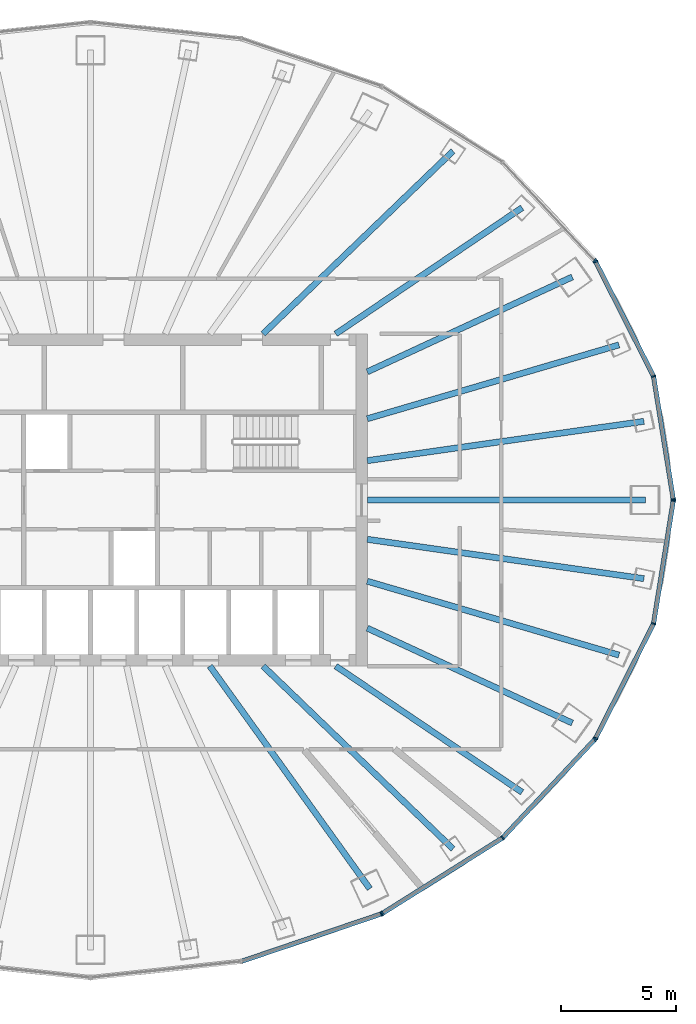
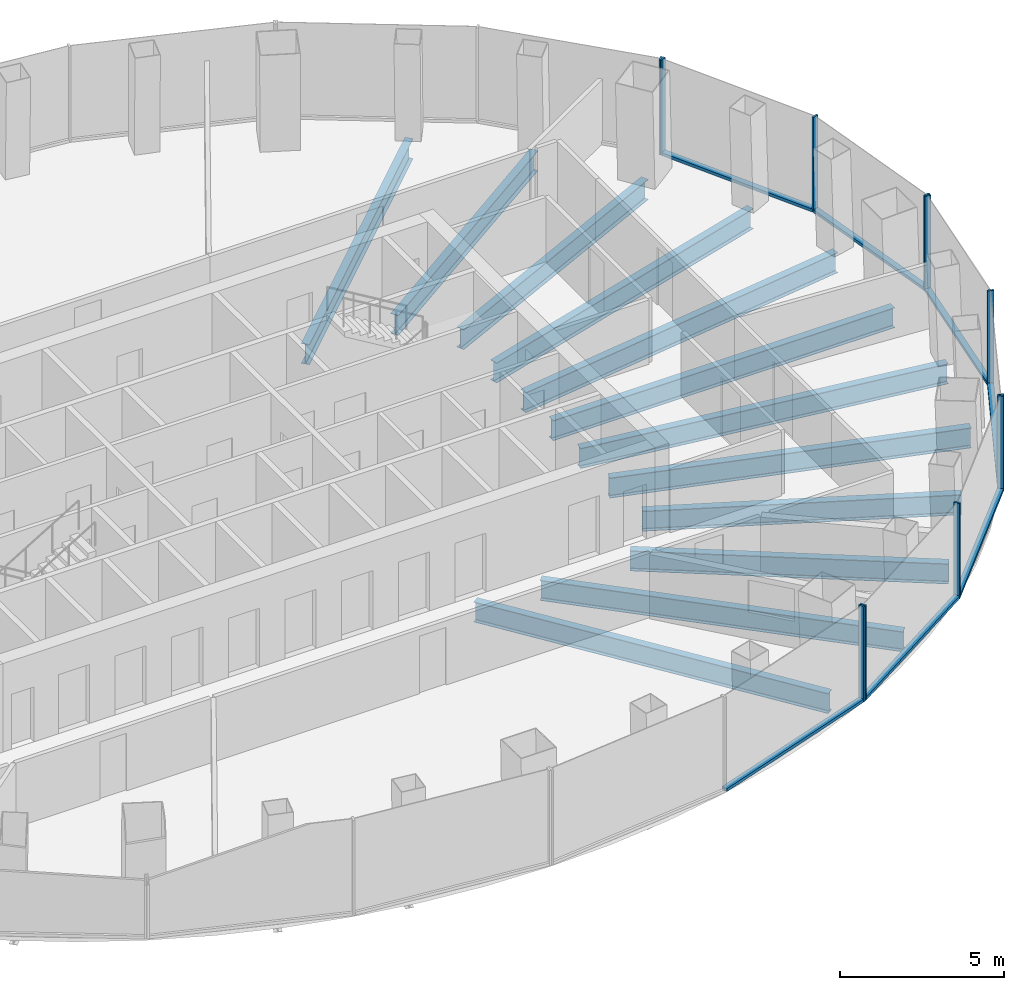
# One storey, part 4 of 11: 18 members, 12 beams, 5 elements without a shape of their own.
"""IFC4 building model written with IfcOpenShell, lengths in metres."""

from ifc_helpers import new_model, si_unit, direction, frame, origin, origin_2d, place, context, subcontext, project, spatial, rectangle, i_section, extrude, material, layer, layer_set, material_profile, profile_set, type_object, element, aggregate, save


model = new_model("IFC4")

# Units and contexts
model_context = context("Model", 3, precision=1e-05, world=origin(), true_north=direction((0.0, 1.0)))
body_context = subcontext(model_context, "Body", "Model", "MODEL_VIEW")
ifc_project = project(units=[si_unit("LENGTHUNIT", "METRE"), si_unit("AREAUNIT", "SQUARE_METRE"), si_unit("VOLUMEUNIT", "CUBIC_METRE"), si_unit("PLANEANGLEUNIT", "RADIAN"), si_unit("MASSUNIT", "GRAM", prefix="KILO")], contexts=[model_context])

# Site, building, storey
site_placement = place(None, origin())
site = spatial("IfcSite", under=ifc_project, at=site_placement, CompositionType="ELEMENT")
building_placement = place(site_placement, origin())
building = spatial("IfcBuilding", under=site, at=building_placement, Name="Siaravel Broadcast Tower", CompositionType="ELEMENT")
storey_placement = place(building_placement, frame((0.0, 0.0, 126.699951171875)))
storey = spatial("IfcBuildingStorey", under=building, at=storey_placement, Name="L30", CompositionType="ELEMENT", Elevation=126.699951171875)

# Beams
ifc_material_1 = material(Name="Steel S355", Category="steel")
ifc_material_profile_1 = material_profile(ifc_material_1, i_section(OverallWidth=0.26513671875, OverallDepth=0.75390625, WebThickness=0.0126953125, FlangeThickness=0.017578125, FilletRadius=0.0166015625, at=origin_2d()))
ifc_profile_set_1 = profile_set([ifc_material_profile_1], Name="Steel S355")
beam_type = type_object("IfcBeamType", Name="BM-UB 762x267x147", PredefinedType="BEAM", material=ifc_profile_set_1)
beam_1_placement = place(storey_placement, frame((24.05712890625, 0.0, -0.52685546875), z_axis=(-1.0, 0.0, 0.0), x_axis=(0.0, -1.0, 0.0)))
element("IfcBeam", 1, at=beam_1_placement, inside=storey, type_object=beam_type, Name="Radial beam RB01", PredefinedType="BEAM", context=body_context, shape_type="SweptSolid", body=[
    extrude(i_section(OverallWidth=0.26513671875, OverallDepth=0.75390625, WebThickness=0.0126953125, FlangeThickness=0.017578125, FilletRadius=0.0166015625, at=origin_2d()), origin(), (0.0, 0.0, 1.0), 12.05712890625),
])
beam_2_placement = place(storey_placement, frame((23.992919921875, 3.409912109375, -0.52685546875), z_axis=(-0.990052421, -0.140698979, 0.0), x_axis=(0.140698979, -0.990052421, 0.0)))
element("IfcBeam", 2, at=beam_2_placement, inside=storey, type_object=beam_type, Name="Radial beam RB02", PredefinedType="BEAM", context=body_context, shape_type="SweptSolid", body=[
    extrude(i_section(OverallWidth=0.26513671875, OverallDepth=0.75390625, WebThickness=0.0126953125, FlangeThickness=0.017578125, FilletRadius=0.0166015625, at=origin_2d()), origin(), (0.0, 0.0, 1.0), 12.113525390625),
])
beam_3_placement = place(storey_placement, frame((22.908935546875, 6.722900390625, -0.52685546875), z_axis=(-0.959534251, -0.28159194, 0.0), x_axis=(0.28159194, -0.959534251, 0.0)))
element("IfcBeam", 3, at=beam_3_placement, inside=storey, type_object=beam_type, Name="Radial beam RB03", PredefinedType="BEAM", context=body_context, shape_type="SweptSolid", body=[
    extrude(i_section(OverallWidth=0.26513671875, OverallDepth=0.75390625, WebThickness=0.0126953125, FlangeThickness=0.017578125, FilletRadius=0.0166015625, at=origin_2d()), origin(), (0.0, 0.0, 1.0), 11.368896484375),
])
beam_4_placement = place(storey_placement, frame((20.8876953125, 9.66943359375, -0.52685546875), z_axis=(-0.907483098, -0.420088594, 0.0), x_axis=(0.420088594, -0.907483098, 0.0)))
element("IfcBeam", 4, at=beam_4_placement, inside=storey, type_object=beam_type, Name="Radial beam RB04", PredefinedType="BEAM", context=body_context, shape_type="SweptSolid", body=[
    extrude(i_section(OverallWidth=0.26513671875, OverallDepth=0.75390625, WebThickness=0.0126953125, FlangeThickness=0.017578125, FilletRadius=0.0166015625, at=origin_2d()), origin(), (0.0, 0.0, 1.0), 9.793701171875),
])
beam_5_placement = place(storey_placement, frame((18.712646484375, 12.673095703125, -0.52685546875), z_axis=(-0.827987622, -0.560746375, 0.0), x_axis=(0.560746375, -0.827987622, 0.0)))
element("IfcBeam", 5, at=beam_5_placement, inside=storey, type_object=beam_type, Name="Radial beam RB05", PredefinedType="BEAM", context=body_context, shape_type="SweptSolid", body=[
    extrude(i_section(OverallWidth=0.26513671875, OverallDepth=0.75390625, WebThickness=0.0126953125, FlangeThickness=0.017578125, FilletRadius=0.0166015625, at=origin_2d()), origin(), (0.0, 0.0, 1.0), 9.760498046875),
])
beam_6_placement = place(storey_placement, frame((15.717529296875, 15.126220703125, -0.52685546875), z_axis=(-0.720528871, -0.693424939, 0.0), x_axis=(0.693424939, -0.720528871, 0.0)))
element("IfcBeam", 6, at=beam_6_placement, inside=storey, type_object=beam_type, Name="Radial beam RB06", PredefinedType="BEAM", context=body_context, shape_type="SweptSolid", body=[
    extrude(i_section(OverallWidth=0.26513671875, OverallDepth=0.75390625, WebThickness=0.0126953125, FlangeThickness=0.017578125, FilletRadius=0.0166015625, at=origin_2d()), origin(), (0.0, 0.0, 1.0), 11.4306640625),
])
beam_7_placement = place(storey_placement, frame((12.1083984375, -16.851318359375, -0.52685546875), z_axis=(-0.583519214, 0.812099333, 0.0), x_axis=(-0.812099333, -0.583519214, 0.0)))
element("IfcBeam", 7, at=beam_7_placement, inside=storey, type_object=beam_type, Name="Radial beam RB31", PredefinedType="BEAM", context=body_context, shape_type="SweptSolid", body=[
    extrude(i_section(OverallWidth=0.26513671875, OverallDepth=0.75390625, WebThickness=0.0126953125, FlangeThickness=0.017578125, FilletRadius=0.0166015625, at=origin_2d()), origin(), (0.0, 0.0, 1.0), 11.884521484375),
])
beam_8_placement = place(storey_placement, frame((15.717529296875, -15.126220703125, -0.52685546875), z_axis=(-0.720528871, 0.693424939, 0.0), x_axis=(-0.693424939, -0.720528871, 0.0)))
element("IfcBeam", 8, at=beam_8_placement, inside=storey, type_object=beam_type, Name="Radial beam RB32", PredefinedType="BEAM", context=body_context, shape_type="SweptSolid", body=[
    extrude(i_section(OverallWidth=0.26513671875, OverallDepth=0.75390625, WebThickness=0.0126953125, FlangeThickness=0.017578125, FilletRadius=0.0166015625, at=origin_2d()), origin(), (0.0, 0.0, 1.0), 11.4306640625),
])
beam_9_placement = place(storey_placement, frame((18.712646484375, -12.673095703125, -0.52685546875), z_axis=(-0.827987622, 0.560746375, 0.0), x_axis=(-0.560746375, -0.827987622, 0.0)))
element("IfcBeam", 9, at=beam_9_placement, inside=storey, type_object=beam_type, Name="Radial beam RB33", PredefinedType="BEAM", context=body_context, shape_type="SweptSolid", body=[
    extrude(i_section(OverallWidth=0.26513671875, OverallDepth=0.75390625, WebThickness=0.0126953125, FlangeThickness=0.017578125, FilletRadius=0.0166015625, at=origin_2d()), origin(), (0.0, 0.0, 1.0), 9.760498046875),
])
beam_10_placement = place(storey_placement, frame((20.8876953125, -9.66943359375, -0.52685546875), z_axis=(-0.907483098, 0.420088594, 0.0), x_axis=(-0.420088594, -0.907483098, 0.0)))
element("IfcBeam", 10, at=beam_10_placement, inside=storey, type_object=beam_type, Name="Radial beam RB34", PredefinedType="BEAM", context=body_context, shape_type="SweptSolid", body=[
    extrude(i_section(OverallWidth=0.26513671875, OverallDepth=0.75390625, WebThickness=0.0126953125, FlangeThickness=0.017578125, FilletRadius=0.0166015625, at=origin_2d()), origin(), (0.0, 0.0, 1.0), 9.793701171875),
])
beam_11_placement = place(storey_placement, frame((22.908935546875, -6.722900390625, -0.52685546875), z_axis=(-0.959534251, 0.28159194, 0.0), x_axis=(-0.28159194, -0.959534251, 0.0)))
element("IfcBeam", 11, at=beam_11_placement, inside=storey, type_object=beam_type, Name="Radial beam RB35", PredefinedType="BEAM", context=body_context, shape_type="SweptSolid", body=[
    extrude(i_section(OverallWidth=0.26513671875, OverallDepth=0.75390625, WebThickness=0.0126953125, FlangeThickness=0.017578125, FilletRadius=0.0166015625, at=origin_2d()), origin(), (0.0, 0.0, 1.0), 11.368896484375),
])
beam_12_placement = place(storey_placement, frame((23.992919921875, -3.409912109375, -0.52685546875), z_axis=(-0.990052421, 0.140698979, 0.0), x_axis=(-0.140698979, -0.990052421, 0.0)))
element("IfcBeam", 12, at=beam_12_placement, inside=storey, type_object=beam_type, Name="Radial beam RB36", PredefinedType="BEAM", context=body_context, shape_type="SweptSolid", body=[
    extrude(i_section(OverallWidth=0.26513671875, OverallDepth=0.75390625, WebThickness=0.0126953125, FlangeThickness=0.017578125, FilletRadius=0.0166015625, at=origin_2d()), origin(), (0.0, 0.0, 1.0), 12.113525390625),
])

# Curtain wall, members
ifc_material_2 = material(Name="Aluminium 6063-T6", Category="aluminium")
ifc_layer = layer(ifc_material_2, 0.199951171875)
ifc_layer_set = layer_set([ifc_layer], Name="Aluminium 6063-T6")
curtain_wall_type = type_object("IfcCurtainWallType", Name="Unitised curtain wall, zone 2", PredefinedType="NOTDEFINED", material=ifc_layer_set)
curtain_wall_1_placement = place(storey_placement, origin())
curtain_wall_1 = element("IfcCurtainWall", 13, at=curtain_wall_1_placement, inside=storey, type_object=curtain_wall_type, Name="L30 Unitised curtain wall, zone 2 01", PredefinedType="NOTDEFINED")
ifc_material_profile_2 = material_profile(ifc_material_2, rectangle(XDim=0.199951171875, YDim=0.06494140625, at=origin_2d()))
ifc_profile_set_2 = profile_set([ifc_material_profile_2], Name="Aluminium 6063-T6")
member_type_1 = type_object("IfcMemberType", Name="CW-Z2 mullion", PredefinedType="MULLION", material=ifc_profile_set_2)
member_1_placement = place(storey_placement, frame((25.265869140625, 0.031982421875, 0.0), z_axis=(0.0, 0.0, 1.0), x_axis=(-0.987329163, -0.158685611, 0.0)))
member_1 = element("IfcMember", 14, at=member_1_placement, type_object=member_type_1, Name="CW-Z2 mullion 1", PredefinedType="MULLION", context=body_context, shape_type="SweptSolid", body=[
    extrude(rectangle(XDim=0.199951171875, YDim=0.06494140625, at=origin_2d()), origin(), (0.0, 0.0, 1.0), 3.550048828125),
])
member_2_placement = place(storey_placement, frame((24.4091796875, 5.362548828125, 0.0), z_axis=(0.0, 0.0, 1.0), x_axis=(-0.951177162, -0.308645439, 0.0)))
member_2 = element("IfcMember", 15, at=member_2_placement, type_object=member_type_1, Name="CW-Z2 mullion 2", PredefinedType="MULLION", context=body_context, shape_type="SweptSolid", body=[
    extrude(rectangle(XDim=0.199951171875, YDim=0.06494140625, at=origin_2d()), origin(), (0.0, 0.0, 1.0), 3.550048828125),
])
member_3_placement = place(storey_placement, frame((21.897705078125, 10.329345703125, 0.0), z_axis=(0.0, 0.0, 1.0), x_axis=(-0.892391979, -0.451261073, 0.0)))
member_3 = element("IfcMember", 16, at=member_3_placement, type_object=member_type_1, Name="CW-Z2 mullion 3", PredefinedType="MULLION", context=body_context, shape_type="SweptSolid", body=[
    extrude(rectangle(XDim=0.199951171875, YDim=0.06494140625, at=origin_2d()), origin(), (0.0, 0.0, 1.0), 3.550048828125),
])

# Curtain wall, member
curtain_wall_2_placement = place(storey_placement, origin())
curtain_wall_2 = element("IfcCurtainWall", 17, at=curtain_wall_2_placement, inside=storey, type_object=curtain_wall_type, Name="L30 Unitised curtain wall, zone 2 02", PredefinedType="NOTDEFINED")
member_4_placement = place(storey_placement, frame((21.86083984375, 10.382080078125, 0.0), z_axis=(0.0, 0.0, 1.0), x_axis=(-0.729805105, -0.683655256, 0.0)))
member_4 = element("IfcMember", 18, at=member_4_placement, type_object=member_type_1, Name="CW-Z2 mullion 1", PredefinedType="MULLION", context=body_context, shape_type="SweptSolid", body=[
    extrude(rectangle(XDim=0.199951171875, YDim=0.06494140625, at=origin_2d()), origin(), (0.0, 0.0, 1.0), 3.550048828125),
])
aggregate(curtain_wall_2, [member_4])

curtain_wall_3_placement = place(storey_placement, origin())
curtain_wall_3 = element("IfcCurtainWall", 19, at=curtain_wall_3_placement, inside=storey, type_object=curtain_wall_type, Name="L30 Unitised curtain wall, zone 2 10", PredefinedType="NOTDEFINED")
member_5_placement = place(storey_placement, frame((12.60107421875, -17.94677734375, 0.0), z_axis=(0.0, 0.0, 1.0), x_axis=(-0.321300596, 0.946977258, 0.0)))
member_5 = element("IfcMember", 20, at=member_5_placement, type_object=member_type_1, Name="CW-Z2 mullion 3", PredefinedType="MULLION", context=body_context, shape_type="SweptSolid", body=[
    extrude(rectangle(XDim=0.199951171875, YDim=0.06494140625, at=origin_2d()), origin(), (0.0, 0.0, 1.0), 3.550048828125),
])

# Curtain wall, members
curtain_wall_4_placement = place(storey_placement, origin())
curtain_wall_4 = element("IfcCurtainWall", 21, at=curtain_wall_4_placement, inside=storey, type_object=curtain_wall_type, Name="L30 Unitised curtain wall, zone 2 11", PredefinedType="NOTDEFINED")
member_6_placement = place(storey_placement, frame((12.659423828125, -17.9189453125, 0.0), z_axis=(0.0, 0.0, 1.0), x_axis=(-0.532149141, 0.846650632, 0.0)))
member_6 = element("IfcMember", 22, at=member_6_placement, type_object=member_type_1, Name="CW-Z2 mullion 1", PredefinedType="MULLION", context=body_context, shape_type="SweptSolid", body=[
    extrude(rectangle(XDim=0.199951171875, YDim=0.06494140625, at=origin_2d()), origin(), (0.0, 0.0, 1.0), 3.550048828125),
])
member_7_placement = place(storey_placement, frame((17.86572265625, -14.646728515625, 0.0), z_axis=(0.0, 0.0, 1.0), x_axis=(-0.636218518, 0.771508909, 0.0)))
member_7 = element("IfcMember", 23, at=member_7_placement, type_object=member_type_1, Name="CW-Z2 mullion 2", PredefinedType="MULLION", context=body_context, shape_type="SweptSolid", body=[
    extrude(rectangle(XDim=0.199951171875, YDim=0.06494140625, at=origin_2d()), origin(), (0.0, 0.0, 1.0), 3.550048828125),
])
member_8_placement = place(storey_placement, frame((21.86083984375, -10.382080078125, 0.0), z_axis=(0.0, 0.0, 1.0), x_axis=(-0.729805105, 0.683655256, 0.0)))
member_8 = element("IfcMember", 24, at=member_8_placement, type_object=member_type_1, Name="CW-Z2 mullion 3", PredefinedType="MULLION", context=body_context, shape_type="SweptSolid", body=[
    extrude(rectangle(XDim=0.199951171875, YDim=0.06494140625, at=origin_2d()), origin(), (0.0, 0.0, 1.0), 3.550048828125),
])

curtain_wall_5_placement = place(storey_placement, origin())
curtain_wall_5 = element("IfcCurtainWall", 25, at=curtain_wall_5_placement, inside=storey, type_object=curtain_wall_type, Name="L30 Unitised curtain wall, zone 2 12", PredefinedType="NOTDEFINED")
member_9_placement = place(storey_placement, frame((21.897705078125, -10.329345703125, 0.0), z_axis=(0.0, 0.0, 1.0), x_axis=(-0.892391979, 0.451261073, 0.0)))
member_9 = element("IfcMember", 26, at=member_9_placement, type_object=member_type_1, Name="CW-Z2 mullion 1", PredefinedType="MULLION", context=body_context, shape_type="SweptSolid", body=[
    extrude(rectangle(XDim=0.199951171875, YDim=0.06494140625, at=origin_2d()), origin(), (0.0, 0.0, 1.0), 3.550048828125),
])
member_10_placement = place(storey_placement, frame((24.4091796875, -5.362548828125, 0.0), z_axis=(0.0, 0.0, 1.0), x_axis=(-0.951177162, 0.308645439, 0.0)))
member_10 = element("IfcMember", 27, at=member_10_placement, type_object=member_type_1, Name="CW-Z2 mullion 2", PredefinedType="MULLION", context=body_context, shape_type="SweptSolid", body=[
    extrude(rectangle(XDim=0.199951171875, YDim=0.06494140625, at=origin_2d()), origin(), (0.0, 0.0, 1.0), 3.550048828125),
])
member_11_placement = place(storey_placement, frame((25.265869140625, -0.031982421875, 0.0), z_axis=(0.0, 0.0, 1.0), x_axis=(-0.987329163, 0.158685611, 0.0)))
member_11 = element("IfcMember", 28, at=member_11_placement, type_object=member_type_1, Name="CW-Z2 mullion 3", PredefinedType="MULLION", context=body_context, shape_type="SweptSolid", body=[
    extrude(rectangle(XDim=0.199951171875, YDim=0.06494140625, at=origin_2d()), origin(), (0.0, 0.0, 1.0), 3.550048828125),
])

# Member
ifc_material_profile_3 = material_profile(ifc_material_2, rectangle(XDim=0.199951171875, YDim=0.110107421875, at=origin_2d()))
ifc_profile_set_3 = profile_set([ifc_material_profile_3], Name="Aluminium 6063-T6")
member_type_2 = type_object("IfcMemberType", Name="CW-Z2 transom", PredefinedType="USERDEFINED", material=ifc_profile_set_3)
member_12_placement = place(storey_placement, frame((25.2607421875, 0.064208984375, 0.054931640625), z_axis=(-0.158695625, 0.987327554, 0.0), x_axis=(-0.987327554, -0.158695625, 0.0)))
member_12 = element("IfcMember", 29, at=member_12_placement, type_object=member_type_2, Name="CW-Z2 transom 1", ObjectType="TRANSOM", PredefinedType="USERDEFINED", context=body_context, shape_type="SweptSolid", body=[
    extrude(rectangle(XDim=0.199951171875, YDim=0.110107421875, at=origin_2d()), origin(), (0.0, 0.0, 1.0), 5.333740234375),
])

member_13_placement = place(storey_placement, frame((24.39453125, 5.3916015625, 0.054931640625), z_axis=(-0.451256879, 0.8923941, 0.0), x_axis=(-0.8923941, -0.451256879, 0.0)))
member_13 = element("IfcMember", 30, at=member_13_placement, type_object=member_type_2, Name="CW-Z2 transom 2", ObjectType="TRANSOM", PredefinedType="USERDEFINED", context=body_context, shape_type="SweptSolid", body=[
    extrude(rectangle(XDim=0.199951171875, YDim=0.110107421875, at=origin_2d()), origin(), (0.0, 0.0, 1.0), 5.50048828125),
])

aggregate(curtain_wall_1, [member_1, member_2, member_3, member_12, member_13])

member_14_placement = place(storey_placement, frame((6.569091796875, -19.993408203125, 0.054931640625), z_axis=(0.946978491, 0.321296962, 0.0), x_axis=(-0.321296962, 0.946978491, 0.0)))
member_14 = element("IfcMember", 31, at=member_14_placement, type_object=member_type_2, Name="CW-Z2 transom 2", ObjectType="TRANSOM", PredefinedType="USERDEFINED", context=body_context, shape_type="SweptSolid", body=[
    extrude(rectangle(XDim=0.199951171875, YDim=0.110107421875, at=origin_2d()), origin(), (0.0, 0.0, 1.0), 6.337158203125),
])

aggregate(curtain_wall_3, [member_5, member_14])

member_15_placement = place(storey_placement, frame((12.68701171875, -17.901611328125, 0.054931640625), z_axis=(0.846658761, 0.532136207, 0.0), x_axis=(-0.532136207, 0.846658761, 0.0)))
member_15 = element("IfcMember", 32, at=member_15_placement, type_object=member_type_2, Name="CW-Z2 transom 1", ObjectType="TRANSOM", PredefinedType="USERDEFINED", context=body_context, shape_type="SweptSolid", body=[
    extrude(rectangle(XDim=0.199951171875, YDim=0.110107421875, at=origin_2d()), origin(), (0.0, 0.0, 1.0), 6.083984375),
])

member_16_placement = place(storey_placement, frame((17.887939453125, -14.623046875, 0.054931640625), z_axis=(0.683640317, 0.729819099, 0.0), x_axis=(-0.729819099, 0.683640317, 0.0)))
member_16 = element("IfcMember", 33, at=member_16_placement, type_object=member_type_2, Name="CW-Z2 transom 2", ObjectType="TRANSOM", PredefinedType="USERDEFINED", context=body_context, shape_type="SweptSolid", body=[
    extrude(rectangle(XDim=0.199951171875, YDim=0.110107421875, at=origin_2d()), origin(), (0.0, 0.0, 1.0), 5.778564453125),
])

aggregate(curtain_wall_4, [member_6, member_7, member_8, member_15, member_16])

member_17_placement = place(storey_placement, frame((21.912353515625, -10.30029296875, 0.054931640625), z_axis=(0.451256879, 0.8923941, 0.0), x_axis=(-0.8923941, 0.451256879, 0.0)))
member_17 = element("IfcMember", 34, at=member_17_placement, type_object=member_type_2, Name="CW-Z2 transom 1", ObjectType="TRANSOM", PredefinedType="USERDEFINED", context=body_context, shape_type="SweptSolid", body=[
    extrude(rectangle(XDim=0.199951171875, YDim=0.110107421875, at=origin_2d()), origin(), (0.0, 0.0, 1.0), 5.50048828125),
])

member_18_placement = place(storey_placement, frame((24.414306640625, -5.330322265625, 0.054931640625), z_axis=(0.158695625, 0.987327554, 0.0), x_axis=(-0.987327554, 0.158695625, 0.0)))
member_18 = element("IfcMember", 35, at=member_18_placement, type_object=member_type_2, Name="CW-Z2 transom 2", ObjectType="TRANSOM", PredefinedType="USERDEFINED", context=body_context, shape_type="SweptSolid", body=[
    extrude(rectangle(XDim=0.199951171875, YDim=0.110107421875, at=origin_2d()), origin(), (0.0, 0.0, 1.0), 5.333740234375),
])

aggregate(curtain_wall_5, [member_9, member_10, member_11, member_17, member_18])

save(model, "model.ifc")
